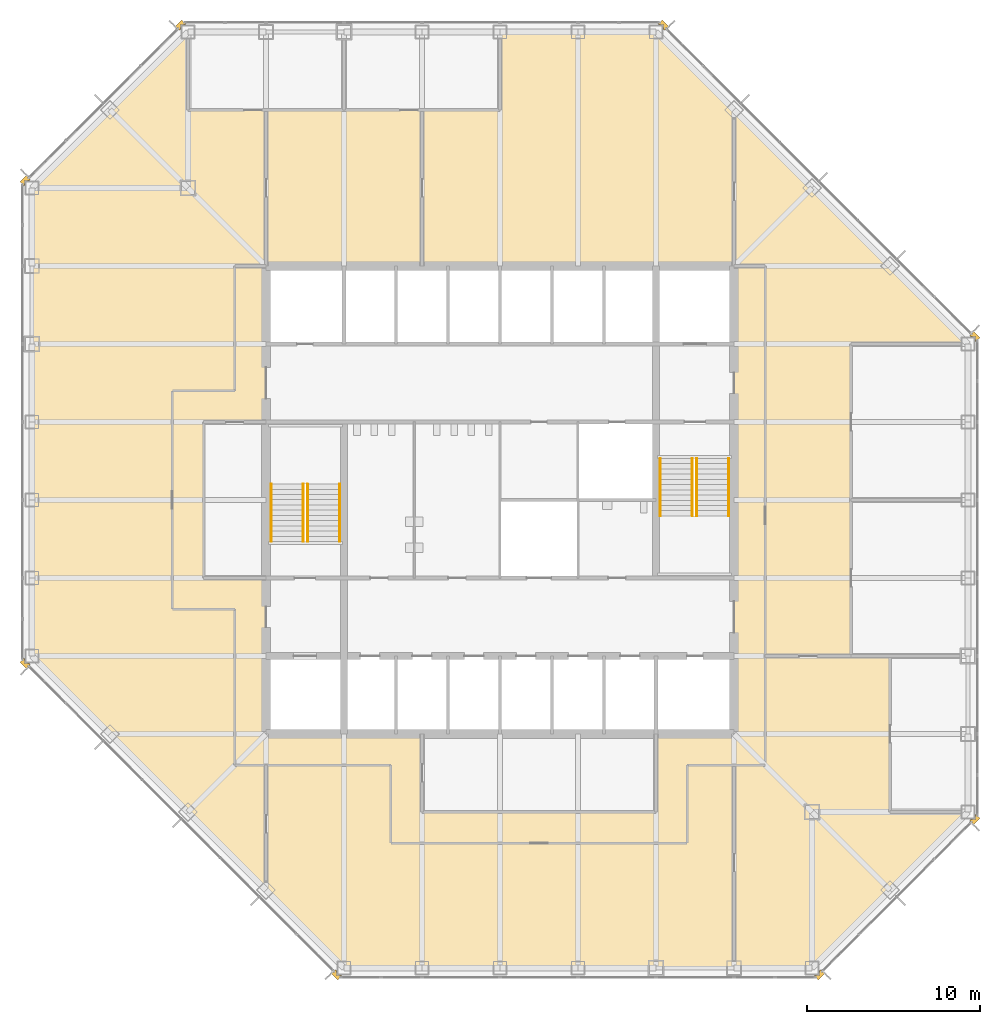
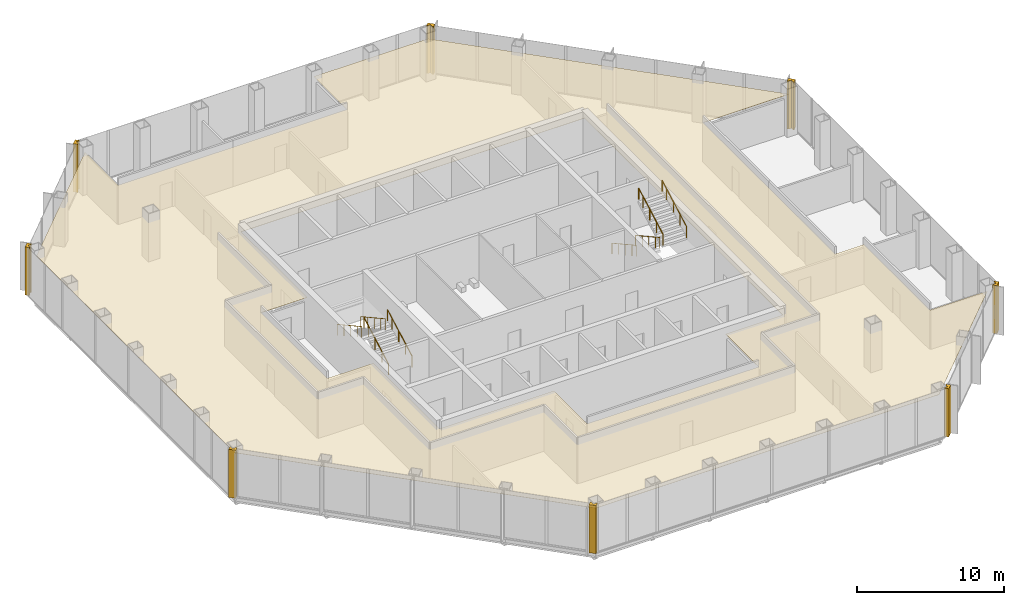
# One storey, part 11 of 12: 9 coverings, 8 railings.
"""IFC4 building model written with IfcOpenShell, lengths in metres."""

from ifc_helpers import new_model, si_unit, direction, frame, origin, origin_2d, place, context, subcontext, project, spatial, polyline, circle, outline, extrude, material, layer, layer_set, type_object, element, save


model = new_model("IFC4")

# Units and contexts
model_context = context("Model", 3, precision=1e-05, world=origin(), true_north=direction((0.0, 1.0)))
body_context = subcontext(model_context, "Body", "Model", "MODEL_VIEW")
ifc_project = project(units=[si_unit("LENGTHUNIT", "METRE"), si_unit("AREAUNIT", "SQUARE_METRE"), si_unit("VOLUMEUNIT", "CUBIC_METRE"), si_unit("PLANEANGLEUNIT", "RADIAN"), si_unit("MASSUNIT", "GRAM", prefix="KILO")], contexts=[model_context])

# Site, building, storey
site_placement = place(None, origin())
site = spatial("IfcSite", under=ifc_project, at=site_placement, CompositionType="ELEMENT")
building_placement = place(site_placement, origin())
building = spatial("IfcBuilding", under=site, at=building_placement, Name="Corais Broadcast Tower", CompositionType="ELEMENT")
storey_placement = place(building_placement, frame((0.0, 0.0, 115.60009765625)))
storey = spatial("IfcBuildingStorey", under=building, at=storey_placement, Name="L25", CompositionType="ELEMENT", Elevation=115.60009765625)

# Railings
ifc_material_1 = material(Name="Stainless steel handrail", Category="steel")
railing_type = type_object("IfcRailingType", Name="Handrail 920", PredefinedType="HANDRAIL", material=ifc_material_1)
for number, where, name in (
    (1, (17.75, 24.60009765625, 0.16650390625), "HR1 L25"),
    (2, (15.89990234375, 24.60009765625, 0.16650390625), "HR1 L25"),
):
    element("IfcRailing", number, at=place(storey_placement, frame(where)), inside=storey, type_object=railing_type, Name=name, PredefinedType="HANDRAIL", context=body_context, shape_type="SweptSolid", body=[
        extrude(circle(Radius=0.02392578125, at=origin_2d()), frame((0.0, 0.0, 0.89599609375), z_axis=(0.0, 0.875504475178, 0.483210010185), x_axis=(-1.0, 0.0, 0.0)), (0.0, 0.0, 1.0), 3.79443359375),
        extrude(circle(Radius=0.02099609375, at=origin_2d()), origin(), (0.0, 0.0, 1.0), 0.871826171875),
        extrude(circle(Radius=0.02099609375, at=origin_2d()), frame((0.0, 0.906005859375, 0.5)), (0.0, 0.0, 1.0), 0.871826171875),
        extrude(circle(Radius=0.02099609375, at=origin_2d()), frame((0.0, 1.81201171875, 1.0)), (0.0, 0.0, 1.0), 0.871826171875),
        extrude(circle(Radius=0.02099609375, at=origin_2d()), frame((0.0, 2.718017578125, 1.500244140625)), (0.0, 0.0, 1.0), 0.871826171875),
        extrude(circle(Radius=0.02099609375, at=origin_2d()), frame((0.0, 3.322021484375, 1.83349609375)), (0.0, 0.0, 1.0), 0.871826171875),
    ])
for number, where, name in (
    (3, (13.800048828125, 27.922119140625, 2.16650390625), "HR1 L25"),
    (4, (15.64990234375, 27.922119140625, 2.16650390625), "HR1 L25"),
    (5, (36.25, 29.39990234375, 0.16650390625), "HR1 L25"),
    (6, (38.10009765625, 29.39990234375, 0.16650390625), "HR1 L25"),
):
    element("IfcRailing", number, at=place(storey_placement, frame(where)), inside=storey, type_object=railing_type, Name=name, PredefinedType="HANDRAIL", context=body_context, shape_type="SweptSolid", body=[
        extrude(circle(Radius=0.02392578125, at=origin_2d()), frame((0.0, 0.0, 0.89599609375), z_axis=(0.0, -0.875504475178, 0.483210010185), x_axis=(1.0, 0.0, 0.0)), (0.0, 0.0, 1.0), 3.79443359375),
        extrude(circle(Radius=0.02099609375, at=origin_2d()), origin(), (0.0, 0.0, 1.0), 0.871826171875),
        extrude(circle(Radius=0.02099609375, at=origin_2d()), frame((0.0, -0.906005859375, 0.5)), (0.0, 0.0, 1.0), 0.871826171875),
        extrude(circle(Radius=0.02099609375, at=origin_2d()), frame((0.0, -1.81201171875, 1.0)), (0.0, 0.0, 1.0), 0.871826171875),
        extrude(circle(Radius=0.02099609375, at=origin_2d()), frame((0.0, -2.718017578125, 1.500244140625)), (0.0, 0.0, 1.0), 0.871826171875),
        extrude(circle(Radius=0.02099609375, at=origin_2d()), frame((0.0, -3.322021484375, 1.83349609375)), (0.0, 0.0, 1.0), 0.871826171875),
    ])
for number, where, name in (
    (7, (40.199951171875, 26.077880859375, 2.16650390625), "HR1 L25"),
    (8, (38.35009765625, 26.077880859375, 2.16650390625), "HR1 L25"),
):
    element("IfcRailing", number, at=place(storey_placement, frame(where)), inside=storey, type_object=railing_type, Name=name, PredefinedType="HANDRAIL", context=body_context, shape_type="SweptSolid", body=[
        extrude(circle(Radius=0.02392578125, at=origin_2d()), frame((0.0, 0.0, 0.89599609375), z_axis=(0.0, 0.875504475178, 0.483210010185), x_axis=(-1.0, 0.0, 0.0)), (0.0, 0.0, 1.0), 3.79443359375),
        extrude(circle(Radius=0.02099609375, at=origin_2d()), origin(), (0.0, 0.0, 1.0), 0.871826171875),
        extrude(circle(Radius=0.02099609375, at=origin_2d()), frame((0.0, 0.906005859375, 0.5)), (0.0, 0.0, 1.0), 0.871826171875),
        extrude(circle(Radius=0.02099609375, at=origin_2d()), frame((0.0, 1.81201171875, 1.0)), (0.0, 0.0, 1.0), 0.871826171875),
        extrude(circle(Radius=0.02099609375, at=origin_2d()), frame((0.0, 2.718017578125, 1.500244140625)), (0.0, 0.0, 1.0), 0.871826171875),
        extrude(circle(Radius=0.02099609375, at=origin_2d()), frame((0.0, 3.322021484375, 1.83349609375)), (0.0, 0.0, 1.0), 0.871826171875),
    ])

# Coverings
ifc_material_2 = material(Name="Granite stone cladding", Category="masonry")
ifc_layer_1 = layer(ifc_material_2, 0.324951171875)
ifc_layer_set_1 = layer_set([ifc_layer_1], Name="Granite stone cladding")
covering_type_1 = type_object("IfcCoveringType", Name="Stone corner pier cladding 500x325", PredefinedType="CLADDING", material=ifc_layer_set_1)
covering_1_placement = place(storey_placement, origin())
element("IfcCovering", 9, at=covering_1_placement, inside=storey, type_object=covering_type_1, Name="SP1 stone corner pier L25", PredefinedType="CLADDING", context=body_context, shape_type="SweptSolid", body=[
    extrude(outline(polyline([(17.860595703125, -0.461669921875), (17.823974609375, -0.425048828125), (17.574951171875, -0.425048828125), (17.574951171875, -0.176025390625), (17.507080078125, -0.108154296875), (17.277099609375, -0.337890625), (17.630859375, -0.69140625), (17.860595703125, -0.461669921875)])), origin(), (0.0, 0.0, 1.0), 4.0),
])
covering_2_placement = place(storey_placement, origin())
element("IfcCovering", 10, at=covering_2_placement, inside=storey, type_object=covering_type_1, Name="SP1 stone corner pier L25", PredefinedType="CLADDING", context=body_context, shape_type="SweptSolid", body=[
    extrude(outline(polyline([(-0.425048828125, 17.823974609375), (-0.461669921875, 17.860595703125), (-0.69140625, 17.630859375), (-0.337890625, 17.277099609375), (-0.108154296875, 17.507080078125), (-0.176025390625, 17.574951171875), (-0.425048828125, 17.574951171875), (-0.425048828125, 17.823974609375)])), origin(), (0.0, 0.0, 1.0), 4.0),
])
covering_3_placement = place(storey_placement, origin())
element("IfcCovering", 11, at=covering_3_placement, inside=storey, type_object=covering_type_1, Name="SP1 stone corner pier L25", PredefinedType="CLADDING", context=body_context, shape_type="SweptSolid", body=[
    extrude(outline(polyline([(-0.461669921875, 45.139404296875), (-0.425048828125, 45.176025390625), (-0.425048828125, 45.425048828125), (-0.176025390625, 45.425048828125), (-0.108154296875, 45.492919921875), (-0.337890625, 45.722900390625), (-0.69140625, 45.369140625), (-0.461669921875, 45.139404296875)])), origin(), (0.0, 0.0, 1.0), 4.0),
])
covering_4_placement = place(storey_placement, origin())
element("IfcCovering", 12, at=covering_4_placement, inside=storey, type_object=covering_type_1, Name="SP1 stone corner pier L25", PredefinedType="CLADDING", context=body_context, shape_type="SweptSolid", body=[
    extrude(outline(polyline([(8.823974609375, 54.425048828125), (8.860595703125, 54.461669921875), (8.630859375, 54.69140625), (8.277099609375, 54.337890625), (8.507080078125, 54.108154296875), (8.574951171875, 54.176025390625), (8.574951171875, 54.425048828125), (8.823974609375, 54.425048828125)])), origin(), (0.0, 0.0, 1.0), 4.0),
])
covering_5_placement = place(storey_placement, origin())
element("IfcCovering", 13, at=covering_5_placement, inside=storey, type_object=covering_type_1, Name="SP1 stone corner pier L25", PredefinedType="CLADDING", context=body_context, shape_type="SweptSolid", body=[
    extrude(outline(polyline([(36.139404296875, 54.461669921875), (36.176025390625, 54.425048828125), (36.425048828125, 54.425048828125), (36.425048828125, 54.176025390625), (36.492919921875, 54.108154296875), (36.722900390625, 54.337890625), (36.369140625, 54.69140625), (36.139404296875, 54.461669921875)])), origin(), (0.0, 0.0, 1.0), 4.0),
])
covering_6_placement = place(storey_placement, origin())
element("IfcCovering", 14, at=covering_6_placement, inside=storey, type_object=covering_type_1, Name="SP1 stone corner pier L25", PredefinedType="CLADDING", context=body_context, shape_type="SweptSolid", body=[
    extrude(outline(polyline([(54.425048828125, 36.176025390625), (54.461669921875, 36.139404296875), (54.69140625, 36.369140625), (54.337890625, 36.722900390625), (54.108154296875, 36.492919921875), (54.176025390625, 36.425048828125), (54.425048828125, 36.425048828125), (54.425048828125, 36.176025390625)])), origin(), (0.0, 0.0, 1.0), 4.0),
])
covering_7_placement = place(storey_placement, origin())
element("IfcCovering", 15, at=covering_7_placement, inside=storey, type_object=covering_type_1, Name="SP1 stone corner pier L25", PredefinedType="CLADDING", context=body_context, shape_type="SweptSolid", body=[
    extrude(outline(polyline([(54.461669921875, 8.860595703125), (54.425048828125, 8.823974609375), (54.425048828125, 8.574951171875), (54.176025390625, 8.574951171875), (54.108154296875, 8.507080078125), (54.337890625, 8.277099609375), (54.69140625, 8.630859375), (54.461669921875, 8.860595703125)])), origin(), (0.0, 0.0, 1.0), 4.0),
])
covering_8_placement = place(storey_placement, origin())
element("IfcCovering", 16, at=covering_8_placement, inside=storey, type_object=covering_type_1, Name="SP1 stone corner pier L25", PredefinedType="CLADDING", context=body_context, shape_type="SweptSolid", body=[
    extrude(outline(polyline([(45.176025390625, -0.425048828125), (45.139404296875, -0.461669921875), (45.369140625, -0.69140625), (45.722900390625, -0.337890625), (45.492919921875, -0.108154296875), (45.425048828125, -0.176025390625), (45.425048828125, -0.425048828125), (45.176025390625, -0.425048828125)])), origin(), (0.0, 0.0, 1.0), 4.0),
])
ifc_material_3 = material(Name="Mineral fibre ceiling tile", Category="mineral")
ifc_layer_2 = layer(ifc_material_3, 0.02001953125)
ifc_layer_set_2 = layer_set([ifc_layer_2], Name="Mineral fibre ceiling tile")
covering_type_2 = type_object("IfcCoveringType", Name="Suspended ceiling", PredefinedType="CEILING", material=ifc_layer_set_2)
covering_9_placement = place(storey_placement, frame((0.0, 0.0, 3.219970703125)))
element("IfcCovering", 17, at=covering_9_placement, inside=storey, type_object=covering_type_2, Name="CE1 ceiling L25", PredefinedType="CEILING", context=body_context, shape_type="SweptSolid", body=[
    extrude(outline(polyline([(49.5, 18.0), (49.5, 9.0), (54.0, 9.0), (45.0, 0.0), (18.0, 0.0), (13.501708984375, 4.498291015625), (13.499755859375, 4.500244140625), (0.0, 18.0), (0.0, 45.0), (9.0, 54.0), (9.0, 49.5), (27.0, 49.5), (27.0, 54.0), (36.0, 54.0), (54.0, 36.0), (47.25, 36.0), (47.25, 18.0), (49.5, 18.0)]), holes=[polyline([(13.5, 31.5), (9.89990234375, 31.5), (9.89990234375, 22.5), (13.5, 22.5), (13.5, 13.5), (22.5, 13.5), (22.5, 9.0), (36.0, 9.0), (36.0, 13.5), (40.5, 13.5), (40.5, 40.5), (13.5, 40.5), (13.5, 31.5)])]), origin(), (0.0, 0.0, 1.0), 0.02001953125),
])

save(model, "model.ifc")
